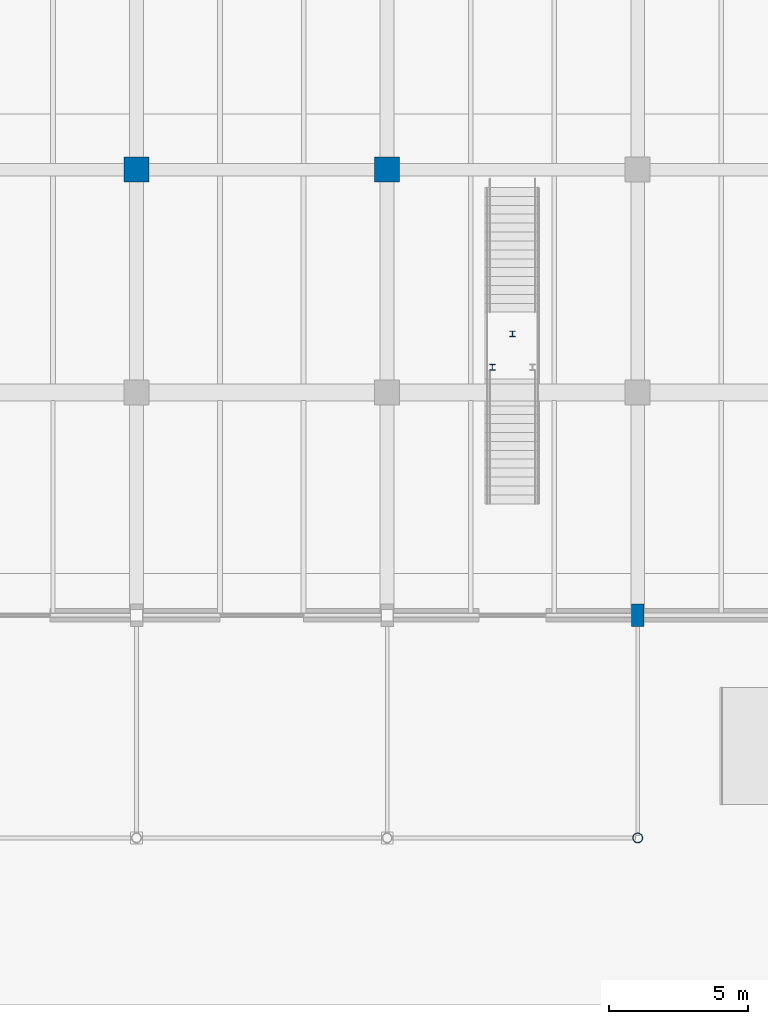
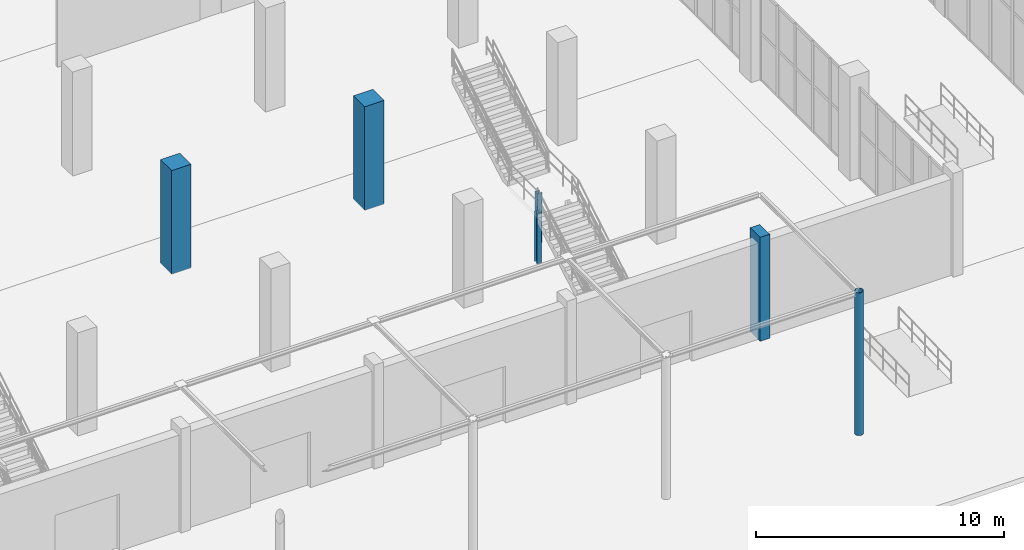
# One storey, part 10 of 103: 6 columns.
"""IFC4 building model written with IfcOpenShell, lengths in metres."""

from ifc_helpers import new_model, si_unit, direction, frame, origin, origin_2d, place, context, subcontext, project, spatial, rectangle, hollow_circle, i_section, extrude, material, material_profile, profile_set, type_object, element, save


model = new_model("IFC4")

# Units and contexts
model_context = context("Model", 3, precision=1e-05, world=origin(), true_north=direction((0.0, 1.0)))
body_context = subcontext(model_context, "Body", "Model", "MODEL_VIEW")
ifc_project = project(units=[si_unit("LENGTHUNIT", "METRE"), si_unit("AREAUNIT", "SQUARE_METRE"), si_unit("VOLUMEUNIT", "CUBIC_METRE"), si_unit("PLANEANGLEUNIT", "RADIAN"), si_unit("MASSUNIT", "GRAM", prefix="KILO")], contexts=[model_context])

# Site, building, storey
site_placement = place(None, origin())
site = spatial("IfcSite", under=ifc_project, at=site_placement, CompositionType="ELEMENT")
building_placement = place(site_placement, origin())
building = spatial("IfcBuilding", under=site, at=building_placement, Name="Marnock Terrace Opera House", CompositionType="ELEMENT")
storey_placement = place(building_placement, origin())
storey = spatial("IfcBuildingStorey", under=building, at=storey_placement, Name="L00", CompositionType="ELEMENT", Elevation=0.0)

# Columns
ifc_material_1 = material(Name="Cold-formed Steel Grade C350L0 (AS/NZS 1163)", Category="steel")
ifc_material_profile_1 = material_profile(ifc_material_1, hollow_circle(Radius=0.177734375, WallThickness=0.0126953125, at=origin_2d()))
ifc_profile_set_1 = profile_set([ifc_material_profile_1], Name="Cold-formed Steel Grade C350L0 (AS/NZS 1163)")
column_type_1 = type_object("IfcColumnType", Name="COL-CANOPY-CHS", PredefinedType="COLUMN", material=ifc_profile_set_1)
column_1_placement = place(storey_placement, frame((100.0, 0.0, 0.0), z_axis=(0.0, 0.0, 1.0), x_axis=(1.0, 0.0, 0.0)))
element("IfcColumn", 1, at=column_1_placement, inside=storey, type_object=column_type_1, Name="L00 column at (100.0, 0.0)", PredefinedType="COLUMN", context=body_context, shape_type="SweptSolid", body=[
    extrude(hollow_circle(Radius=0.177734375, WallThickness=0.0126953125, at=origin_2d()), origin(), (0.0, 0.0, 1.0), 7.0400390625),
])
ifc_material_2 = material(Name="Concrete N40 (f'c = 40 MPa)", Category="concrete")
ifc_material_profile_2 = material_profile(ifc_material_2, rectangle(XDim=0.449951171875, YDim=0.800048828125, at=origin_2d()))
ifc_profile_set_2 = profile_set([ifc_material_profile_2], Name="Concrete N40 (f'c = 40 MPa)")
column_type_2 = type_object("IfcColumnType", Name="COL-PIL-800", PredefinedType="PILASTER", material=ifc_profile_set_2)
column_2_placement = place(storey_placement, frame((100.0, 8.0, 0.0), z_axis=(0.0, 0.0, 1.0), x_axis=(1.0, 0.0, 0.0)))
element("IfcColumn", 2, at=column_2_placement, inside=storey, type_object=column_type_2, Name="L00 column at (100.0, 8.0)", PredefinedType="PILASTER", context=body_context, shape_type="SweptSolid", body=[
    extrude(rectangle(XDim=0.449951171875, YDim=0.800048828125, at=origin_2d()), origin(), (0.0, 0.0, 1.0), 5.1201171875),
])
ifc_material_3 = material(Name="Concrete N50 (f'c = 50 MPa)", Category="concrete")
ifc_material_profile_3 = material_profile(ifc_material_3, rectangle(XDim=0.89990234375, YDim=0.89990234375, at=origin_2d()))
ifc_profile_set_3 = profile_set([ifc_material_profile_3], Name="Concrete N50 (f'c = 50 MPa)")
column_type_3 = type_object("IfcColumnType", Name="COL-RC900", PredefinedType="COLUMN", material=ifc_profile_set_3)
for number, where, z_axis, x_axis, name in (
    (3, (82.0, 24.0, 0.0), (0.0, 0.0, 1.0), (1.0, 0.0, 0.0), "L00 column at (82.0, 24.0)"),
    (4, (91.0, 24.0, 0.0), (0.0, 0.0, 1.0), (1.0, 0.0, 0.0), "L00 column at (91.0, 24.0)"),
):
    element("IfcColumn", number, at=place(storey_placement, frame(where, z_axis=z_axis, x_axis=x_axis)), inside=storey, type_object=column_type_3, Name=name, PredefinedType="COLUMN", context=body_context, shape_type="SweptSolid", body=[
        extrude(rectangle(XDim=0.89990234375, YDim=0.89990234375, at=origin_2d()), origin(), (0.0, 0.0, 1.0), 5.1201171875),
    ])
ifc_material_4 = material(Name="Steel Grade 350 (AS/NZS 3679.1)", Category="steel")
ifc_material_profile_4 = material_profile(ifc_material_4, i_section(OverallWidth=0.205078125, OverallDepth=0.209716796875, WebThickness=0.00927734375, FlangeThickness=0.01416015625, FilletRadius=0.011474609375, at=origin_2d()))
ifc_profile_set_4 = profile_set([ifc_material_profile_4], Name="Steel Grade 350 (AS/NZS 3679.1)")
column_type_4 = type_object("IfcColumnType", Name="COL-UC200", PredefinedType="COLUMN", material=ifc_profile_set_4)
for number, where, z_axis, x_axis, name in (
    (5, (94.780029296875, 16.89990234375, 0.0), (0.0, 0.0, 1.0), (1.0, 0.0, 0.0), "L00 Grand Stair ST-10 landing column SW"),
    (6, (95.5, 18.10009765625, 0.0), (0.0, 0.0, 1.0), (1.0, 0.0, 0.0), "L00 Grand Stair ST-10 landing column N"),
):
    element("IfcColumn", number, at=place(storey_placement, frame(where, z_axis=z_axis, x_axis=x_axis)), inside=storey, type_object=column_type_4, Name=name, PredefinedType="COLUMN", context=body_context, shape_type="SweptSolid", body=[
        extrude(i_section(OverallWidth=0.205078125, OverallDepth=0.209716796875, WebThickness=0.00927734375, FlangeThickness=0.01416015625, FilletRadius=0.011474609375, at=origin_2d()), origin(), (0.0, 0.0, 1.0), 2.5),
    ])

save(model, "model.ifc")
